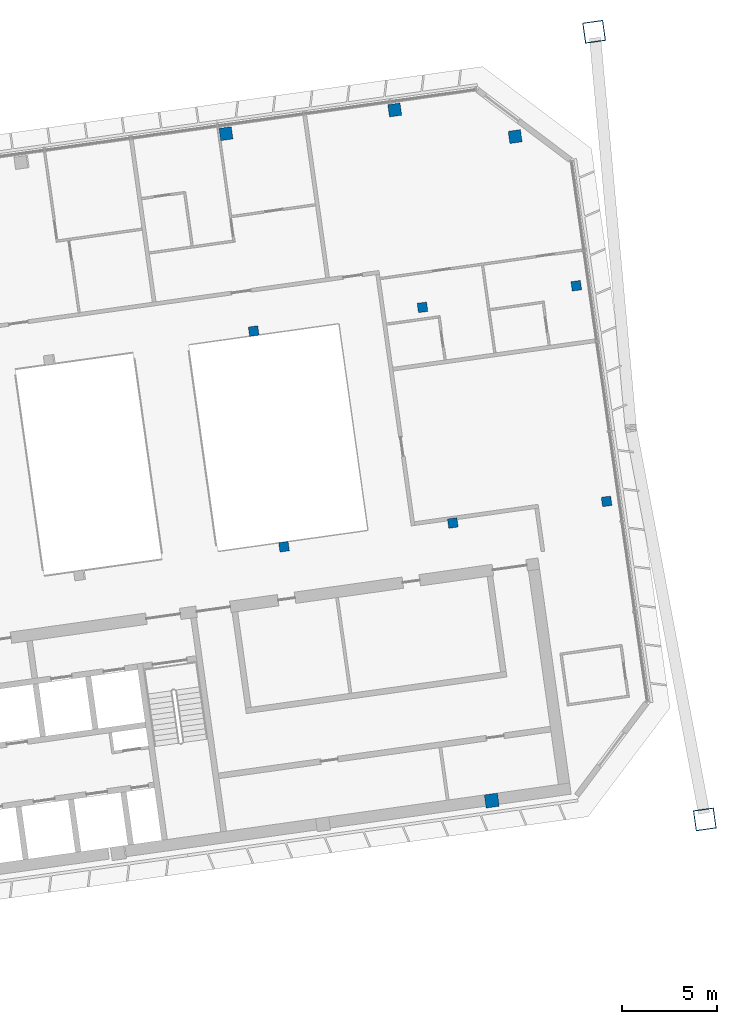
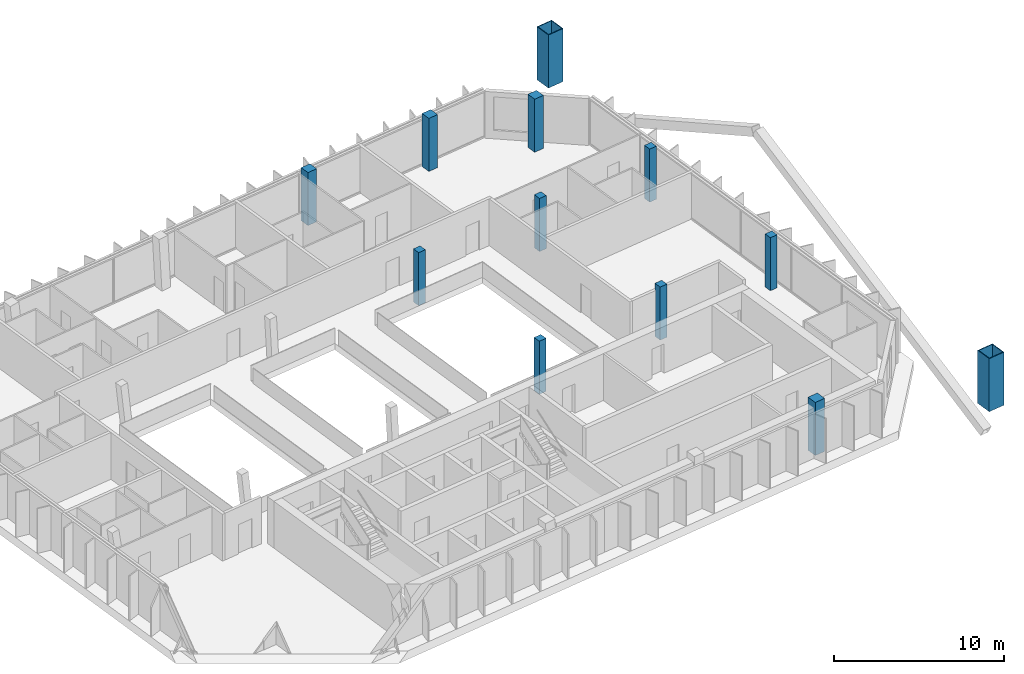
# One storey, part 2 of 23: 12 columns.
"""IFC4 building model written with IfcOpenShell, lengths in metres."""

from ifc_helpers import new_model, si_unit, direction, frame, origin, origin_2d, place, context, subcontext, project, spatial, rectangle, hollow_rectangle, extrude, material, material_profile, profile_set, type_object, element, save


model = new_model("IFC4")

# Units and contexts
model_context = context("Model", 3, precision=1e-05, world=origin(), true_north=direction((0.0, 1.0)))
body_context = subcontext(model_context, "Body", "Model", "MODEL_VIEW")
ifc_project = project(units=[si_unit("LENGTHUNIT", "METRE"), si_unit("AREAUNIT", "SQUARE_METRE"), si_unit("VOLUMEUNIT", "CUBIC_METRE"), si_unit("PLANEANGLEUNIT", "RADIAN"), si_unit("MASSUNIT", "GRAM", prefix="KILO")], contexts=[model_context])

# Site, building, storey
site_placement = place(None, origin())
site = spatial("IfcSite", under=ifc_project, at=site_placement, CompositionType="ELEMENT")
building_placement = place(site_placement, origin())
building = spatial("IfcBuilding", under=site, at=building_placement, Name="Mirante Cascada Hotel Towers", CompositionType="ELEMENT")
storey_placement = place(building_placement, frame((0.0, 0.0, 220.4)))
storey = spatial("IfcBuildingStorey", under=building, at=storey_placement, Name="L52", CompositionType="ELEMENT", Elevation=220.4)

# Columns
ifc_material_1 = material(Name="Steel ASTM A572 Gr 50", Category="steel")
ifc_material_profile_1 = material_profile(ifc_material_1, hollow_rectangle(XDim=1.1, YDim=1.1, WallThickness=0.05, at=origin_2d()), Name="Box column 1100x1100x50 ASTM A572 Gr 50")
ifc_profile_set_1 = profile_set([ifc_material_profile_1], Name="Steel ASTM A572 Gr 50")
column_type_1 = type_object("IfcColumnType", Name="Box column 1100x1100x50 ASTM A572 Gr 50", PredefinedType="COLUMN", material=ifc_profile_set_1)
for number, where, z_axis, x_axis, name in (
    (1, (73.62, 25.3368, 0.0), (0.0, 0.0, 1.0), (0.9902681, 0.1391731, 0.0), "Mega column MC3 T2 L52"),
    (2, (79.4652, -16.2545, 0.0), (0.0, 0.0, 1.0), (0.9902681, 0.1391731, 0.0), "Mega column MC4 T2 L52"),
):
    element("IfcColumn", number, at=place(storey_placement, frame(where, z_axis=z_axis, x_axis=x_axis)), inside=storey, type_object=column_type_1, Name=name, PredefinedType="COLUMN", context=body_context, shape_type="SweptSolid", body=[
        extrude(hollow_rectangle(XDim=1.1, YDim=1.1, WallThickness=0.05, at=origin_2d()), origin(), (0.0, 0.0, 1.0), 3.8),
    ])
ifc_material_2 = material(Name="Concrete C50/60", Category="concrete")
ifc_material_profile_2 = material_profile(ifc_material_2, rectangle(XDim=0.5, YDim=0.5, at=origin_2d()), Name="RC column 500x500 C50/60")
ifc_profile_set_2 = profile_set([ifc_material_profile_2], Name="Concrete C50/60")
column_type_2 = type_object("IfcColumnType", Name="RC column 500x500 C50/60", PredefinedType="COLUMN", material=ifc_profile_set_2)
for number, where, z_axis, x_axis, name in (
    (3, (55.6447, 9.5313, 0.0), (0.0, 0.0, 1.0), (0.9902681, 0.1391731, 0.0), "Column T2 L52 14"),
    (4, (57.2452, -1.8568, 0.0), (0.0, 0.0, 1.0), (0.9902681, 0.1391731, 0.0), "Column T2 L52 15"),
    (5, (64.5571, 10.7838, 0.0), (0.0, 0.0, 1.0), (0.9902681, 0.1391731, 0.0), "Column T2 L52 18"),
    (6, (66.1576, -0.6042, 0.0), (0.0, 0.0, 1.0), (0.9902681, 0.1391731, 0.0), "Column T2 L52 19"),
    (7, (72.6773, 11.9251, 0.0), (0.0, 0.0, 1.0), (0.9902681, 0.1391731, 0.0), "Column T2 L52 22"),
    (8, (74.2778, 0.537, 0.0), (0.0, 0.0, 1.0), (0.9902681, 0.1391731, 0.0), "Column T2 L52 23"),
):
    element("IfcColumn", number, at=place(storey_placement, frame(where, z_axis=z_axis, x_axis=x_axis)), inside=storey, type_object=column_type_2, Name=name, PredefinedType="COLUMN", context=body_context, shape_type="SweptSolid", body=[
        extrude(rectangle(XDim=0.5, YDim=0.5, at=origin_2d()), origin(), (0.0, 0.0, 1.0), 3.8),
    ])
ifc_material_3 = material(Name="Concrete C50/60", Category="concrete")
ifc_material_profile_3 = material_profile(ifc_material_3, rectangle(XDim=0.65, YDim=0.65, at=origin_2d()), Name="RC column 650x650 C50/60")
ifc_profile_set_3 = profile_set([ifc_material_profile_3], Name="Concrete C50/60")
column_type_3 = type_object("IfcColumnType", Name="RC column 650x650 C50/60", PredefinedType="COLUMN", material=ifc_profile_set_3)
for number, where, z_axis, x_axis, name in (
    (9, (54.1799, 19.9538, 0.0), (0.0, 0.0, 1.0), (0.9902681, 0.1391731, 0.0), "Column T2 L52 13"),
    (10, (63.0923, 21.2064, 0.0), (0.0, 0.0, 1.0), (0.9902681, 0.1391731, 0.0), "Column T2 L52 17"),
    (11, (69.4496, 19.8025, 0.0), (0.0, 0.0, 1.0), (0.9902681, 0.1391731, 0.0), "Column T2 L52 21"),
):
    element("IfcColumn", number, at=place(storey_placement, frame(where, z_axis=z_axis, x_axis=x_axis)), inside=storey, type_object=column_type_3, Name=name, PredefinedType="COLUMN", context=body_context, shape_type="SweptSolid", body=[
        extrude(rectangle(XDim=0.65, YDim=0.65, at=origin_2d()), origin(), (0.0, 0.0, 1.0), 3.8),
    ])
ifc_material_4 = material(Name="Concrete C50/60", Category="concrete")
ifc_material_profile_4 = material_profile(ifc_material_4, rectangle(XDim=0.7, YDim=0.7, at=origin_2d()), Name="RC column 700x700 C50/60")
ifc_profile_set_4 = profile_set([ifc_material_profile_4], Name="Concrete C50/60")
column_type_4 = type_object("IfcColumnType", Name="RC column 700x700 C50/60", PredefinedType="COLUMN", material=ifc_profile_set_4)
column_placement = place(storey_placement, frame((68.2174, -15.2602, 0.0), z_axis=(0.0, 0.0, 1.0), x_axis=(0.9902681, 0.1391731, 0.0)))
element("IfcColumn", 12, at=column_placement, inside=storey, type_object=column_type_4, Name="Column T2 L52 20", PredefinedType="COLUMN", context=body_context, shape_type="SweptSolid", body=[
    extrude(rectangle(XDim=0.7, YDim=0.7, at=origin_2d()), origin(), (0.0, 0.0, 1.0), 3.8),
])

save(model, "model.ifc")
